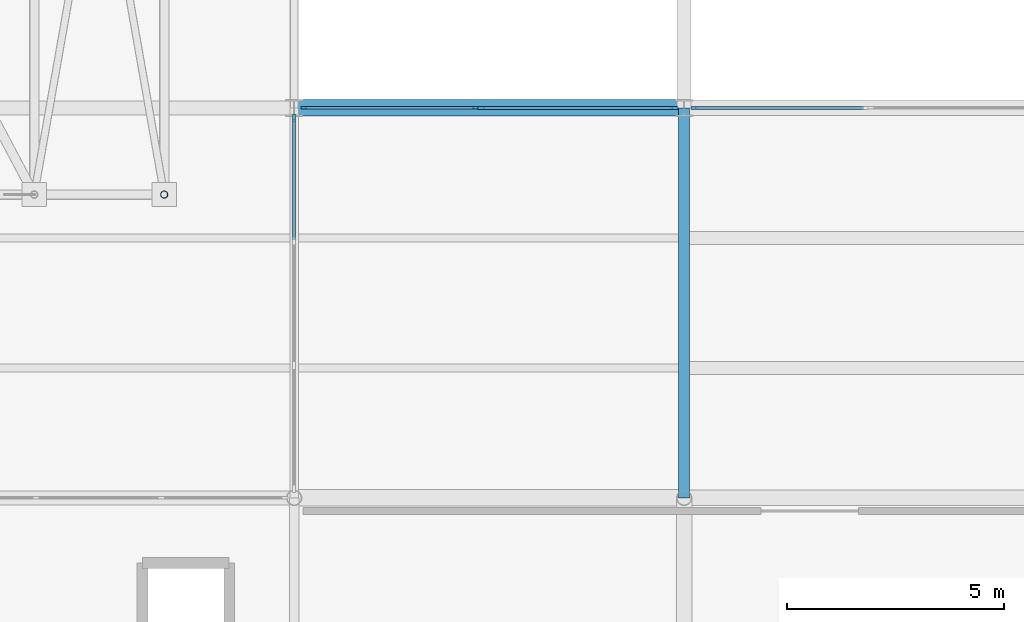
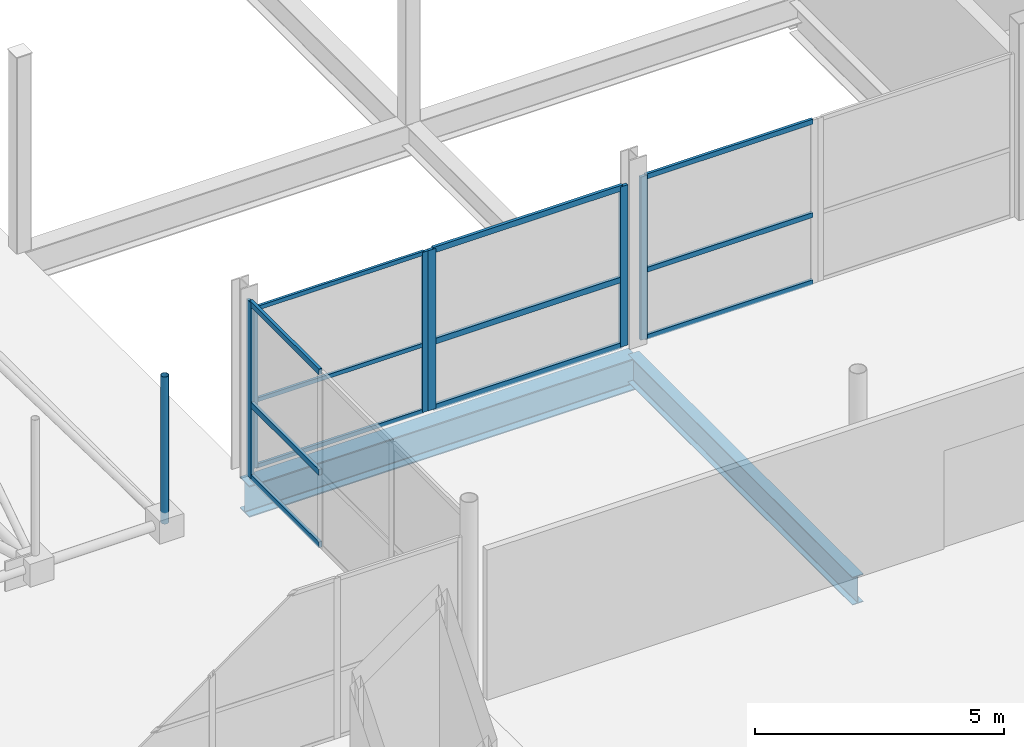
# One storey, part 134 of 224: 19 members, 2 beams, 4 elements without a shape of their own.
"""IFC4 building model written with IfcOpenShell, lengths in metres."""

from ifc_helpers import new_model, si_unit, direction, frame, origin, origin_2d, place, context, subcontext, project, spatial, rectangle, hollow_circle, i_section, extrude, material, layer, layer_set, material_profile, profile_set, type_object, element, aggregate, save


model = new_model("IFC4")

# Units and contexts
model_context = context("Model", 3, precision=1e-05, world=origin(), true_north=direction((0.0, 1.0)))
body_context = subcontext(model_context, "Body", "Model", "MODEL_VIEW")
ifc_project = project(units=[si_unit("LENGTHUNIT", "METRE"), si_unit("AREAUNIT", "SQUARE_METRE"), si_unit("VOLUMEUNIT", "CUBIC_METRE"), si_unit("PLANEANGLEUNIT", "RADIAN"), si_unit("MASSUNIT", "GRAM", prefix="KILO")], contexts=[model_context])

# Site, building, storey
site_placement = place(None, origin())
site = spatial("IfcSite", under=ifc_project, at=site_placement, CompositionType="ELEMENT")
building_placement = place(site_placement, origin())
building = spatial("IfcBuilding", under=site, at=building_placement, Name="Qamarlyn Nura Convention Centre", CompositionType="ELEMENT")
storey_placement = place(building_placement, frame((0.0, 0.0, 10.800048828125)))
storey = spatial("IfcBuildingStorey", under=building, at=storey_placement, Name="L02", CompositionType="ELEMENT", Elevation=10.800048828125)

# Beams
ifc_material_1 = material(Name="Steel ASTM A992", Category="steel")
ifc_material_profile_1 = material_profile(ifc_material_1, i_section(OverallWidth=0.25390625, OverallDepth=0.68408203125, WebThickness=0.012451171875, FlangeThickness=0.01904296875, FilletRadius=0.01806640625, at=origin_2d()), Name="W690X140")
ifc_profile_set_1 = profile_set([ifc_material_profile_1], Name="Steel ASTM A992")
beam_type_1 = type_object("IfcBeamType", Name="BM-GIRD-690B", PredefinedType="BEAM", material=ifc_profile_set_1)
beam_1_placement = place(storey_placement, frame((144.0, 45.0, -0.60205078125), z_axis=(0.0, 1.0, 0.0), x_axis=(-1.0, 0.0, 0.0)))
element("IfcBeam", 1, at=beam_1_placement, inside=storey, type_object=beam_type_1, Name="L02 girder 12 F-G", PredefinedType="BEAM", context=body_context, shape_type="SweptSolid", body=[
    extrude(i_section(OverallWidth=0.25390625, OverallDepth=0.68408203125, WebThickness=0.012451171875, FlangeThickness=0.01904296875, FilletRadius=0.01806640625, at=origin_2d()), origin(), (0.0, 0.0, 1.0), 9.0),
])
ifc_material_profile_2 = material_profile(ifc_material_1, i_section(OverallWidth=0.381103515625, OverallDepth=0.77294921875, WebThickness=0.0166015625, FlangeThickness=0.027587890625, FilletRadius=0.02001953125, at=origin_2d()), Name="W760X257")
ifc_profile_set_2 = profile_set([ifc_material_profile_2], Name="Steel ASTM A992")
beam_type_2 = type_object("IfcBeamType", Name="BM-GIRD-760", PredefinedType="BEAM", material=ifc_profile_set_2)
beam_2_placement = place(storey_placement, frame((135.0, 54.0, -0.646484375), z_axis=(1.0, 0.0, 0.0), x_axis=(0.0, 1.0, 0.0)))
element("IfcBeam", 2, at=beam_2_placement, inside=storey, type_object=beam_type_2, Name="L02 girder G 11-12", PredefinedType="BEAM", context=body_context, shape_type="SweptSolid", body=[
    extrude(i_section(OverallWidth=0.381103515625, OverallDepth=0.77294921875, WebThickness=0.0166015625, FlangeThickness=0.027587890625, FilletRadius=0.02001953125, at=origin_2d()), origin(), (0.0, 0.0, 1.0), 9.0),
])

# Curtain wall, members
ifc_material_2 = material(Name="Double-silver low-E insulated glass", Category="glass")
ifc_layer_1 = layer(ifc_material_2, 0.179931640625, Name="CW-UNIT-107")
ifc_layer_set_1 = layer_set([ifc_layer_1], Name="Double-silver low-E insulated glass")
curtain_wall_type_1 = type_object("IfcCurtainWallType", Name="CW-UNIT-107", PredefinedType="NOTDEFINED", material=ifc_layer_set_1)
curtain_wall_1_placement = place(storey_placement, origin())
curtain_wall_1 = element("IfcCurtainWall", 3, at=curtain_wall_1_placement, inside=storey, type_object=curtain_wall_type_1, Name="L02 unitised curtain wall BLW-NE-1A", PredefinedType="NOTDEFINED")
ifc_material_3 = material(Name="Champagne-anodised marine aluminium", Category="aluminium")
ifc_material_profile_3 = material_profile(ifc_material_3, rectangle(XDim=0.06005859375, YDim=0.139892578125, at=origin_2d()), Name="ALU MULLION 60x140")
ifc_profile_set_3 = profile_set([ifc_material_profile_3], Name="Champagne-anodised marine aluminium")
member_type_1 = type_object("IfcMemberType", Name="CWM-140", PredefinedType="MULLION", material=ifc_profile_set_3)
member_1_placement = place(storey_placement, frame((135.2294921875, 54.0, 0.0), z_axis=(0.0, 0.0, 1.0), x_axis=(0.0, 1.0, 0.0)))
member_1 = element("IfcMember", 4, at=member_1_placement, type_object=member_type_1, Name="CW107 mullion 1", PredefinedType="MULLION", context=body_context, shape_type="SweptSolid", body=[
    extrude(rectangle(XDim=0.06005859375, YDim=0.139892578125, at=origin_2d()), origin(), (0.0, 0.0, 1.0), 3.9208984375),
])
member_2_placement = place(storey_placement, frame((139.172119140625, 54.0, 0.0), z_axis=(0.0, 0.0, 1.0), x_axis=(0.0, 1.0, 0.0)))
member_2 = element("IfcMember", 5, at=member_2_placement, type_object=member_type_1, Name="CW107 mullion 2", PredefinedType="MULLION", context=body_context, shape_type="SweptSolid", body=[
    extrude(rectangle(XDim=0.06005859375, YDim=0.139892578125, at=origin_2d()), origin(), (0.0, 0.0, 1.0), 3.9208984375),
])

# Curtain wall, member
ifc_layer_2 = layer(ifc_material_2, 0.179931640625, Name="CW-UNIT-109")
ifc_layer_set_2 = layer_set([ifc_layer_2], Name="Double-silver low-E insulated glass")
curtain_wall_type_2 = type_object("IfcCurtainWallType", Name="CW-UNIT-109", PredefinedType="NOTDEFINED", material=ifc_layer_set_2)
curtain_wall_2_placement = place(storey_placement, origin())
curtain_wall_2 = element("IfcCurtainWall", 6, at=curtain_wall_2_placement, inside=storey, type_object=curtain_wall_type_2, Name="L02 unitised curtain wall BLW-NE-2A", PredefinedType="NOTDEFINED")
ifc_material_profile_4 = material_profile(ifc_material_3, rectangle(XDim=0.06494140625, YDim=0.159912109375, at=origin_2d()), Name="ALU MULLION 65x160")
ifc_profile_set_4 = profile_set([ifc_material_profile_4], Name="Champagne-anodised marine aluminium")
member_type_2 = type_object("IfcMemberType", Name="CWM-160", PredefinedType="MULLION", material=ifc_profile_set_4)
member_3_placement = place(storey_placement, frame((144.23193359375, 54.0, 0.0), z_axis=(0.0, 0.0, 1.0), x_axis=(0.0, 1.0, 0.0)))
member_3 = element("IfcMember", 7, at=member_3_placement, type_object=member_type_2, Name="CW109 mullion 1", PredefinedType="MULLION", context=body_context, shape_type="SweptSolid", body=[
    extrude(rectangle(XDim=0.06494140625, YDim=0.159912109375, at=origin_2d()), origin(), (0.0, 0.0, 1.0), 3.993896484375),
])

ifc_layer_3 = layer(ifc_material_2, 0.179931640625, Name="CW-UNIT-102")
ifc_layer_set_3 = layer_set([ifc_layer_3], Name="Double-silver low-E insulated glass")
curtain_wall_type_3 = type_object("IfcCurtainWallType", Name="CW-UNIT-102", PredefinedType="NOTDEFINED", material=ifc_layer_set_3)
curtain_wall_3_placement = place(storey_placement, origin())
curtain_wall_3 = element("IfcCurtainWall", 8, at=curtain_wall_3_placement, inside=storey, type_object=curtain_wall_type_3, Name="L02 unitised curtain wall BLW-N-1", PredefinedType="NOTDEFINED")
ifc_material_profile_5 = material_profile(ifc_material_3, rectangle(XDim=0.070068359375, YDim=0.179931640625, at=origin_2d()), Name="ALU MULLION 70x180")
ifc_profile_set_5 = profile_set([ifc_material_profile_5], Name="Champagne-anodised marine aluminium")
member_type_3 = type_object("IfcMemberType", Name="CWM-180", PredefinedType="MULLION", material=ifc_profile_set_5)
member_4_placement = place(storey_placement, frame((135.0, 53.7685546875, 0.0), z_axis=(0.0, 0.0, 1.0), x_axis=(-1.0, 0.0, 0.0)))
member_4 = element("IfcMember", 9, at=member_4_placement, type_object=member_type_3, Name="CW102 mullion 4", PredefinedType="MULLION", context=body_context, shape_type="SweptSolid", body=[
    extrude(rectangle(XDim=0.070068359375, YDim=0.179931640625, at=origin_2d()), origin(), (0.0, 0.0, 1.0), 4.304931640625),
])

# Curtain wall, members
ifc_layer_4 = layer(ifc_material_2, 0.179931640625, Name="CW-UNIT-108")
ifc_layer_set_4 = layer_set([ifc_layer_4], Name="Double-silver low-E insulated glass")
curtain_wall_type_4 = type_object("IfcCurtainWallType", Name="CW-UNIT-108", PredefinedType="NOTDEFINED", material=ifc_layer_set_4)
curtain_wall_4_placement = place(storey_placement, origin())
curtain_wall_4 = element("IfcCurtainWall", 10, at=curtain_wall_4_placement, inside=storey, type_object=curtain_wall_type_4, Name="L02 unitised curtain wall BLW-NE-1B", PredefinedType="NOTDEFINED")
member_5_placement = place(storey_placement, frame((139.31689453125, 54.0, 0.0), z_axis=(0.0, 0.0, 1.0), x_axis=(0.0, 1.0, 0.0)))
member_5 = element("IfcMember", 11, at=member_5_placement, type_object=member_type_3, Name="CW108 mullion 1", PredefinedType="MULLION", context=body_context, shape_type="SweptSolid", body=[
    extrude(rectangle(XDim=0.070068359375, YDim=0.179931640625, at=origin_2d()), origin(), (0.0, 0.0, 1.0), 3.9208984375),
])
member_6_placement = place(storey_placement, frame((143.765380859375, 54.0, 0.0), z_axis=(0.0, 0.0, 1.0), x_axis=(0.0, 1.0, 0.0)))
member_6 = element("IfcMember", 12, at=member_6_placement, type_object=member_type_3, Name="CW108 mullion 2", PredefinedType="MULLION", context=body_context, shape_type="SweptSolid", body=[
    extrude(rectangle(XDim=0.070068359375, YDim=0.179931640625, at=origin_2d()), origin(), (0.0, 0.0, 1.0), 3.9208984375),
])

# Member
ifc_material_profile_6 = material_profile(ifc_material_3, rectangle(XDim=0.06005859375, YDim=0.10009765625, at=origin_2d()), Name="ALU TRANSOM 60x100")
ifc_profile_set_6 = profile_set([ifc_material_profile_6], Name="Champagne-anodised marine aluminium")
member_type_4 = type_object("IfcMemberType", Name="CWT-100", PredefinedType="USERDEFINED", material=ifc_profile_set_6)
member_7_placement = place(storey_placement, frame((135.259521484375, 54.0, 0.030029296875), z_axis=(1.0, 0.0, 0.0), x_axis=(0.0, 1.0, 0.0)))
member_7 = element("IfcMember", 13, at=member_7_placement, type_object=member_type_4, Name="CW107 transom 1.1", ObjectType="TRANSOM", PredefinedType="USERDEFINED", context=body_context, shape_type="SweptSolid", body=[
    extrude(rectangle(XDim=0.06005859375, YDim=0.10009765625, at=origin_2d()), origin(), (0.0, 0.0, 1.0), 3.882568359375),
])

member_8_placement = place(storey_placement, frame((135.259521484375, 54.0, 1.64697265625), z_axis=(1.0, 0.0, 0.0), x_axis=(0.0, 1.0, 0.0)))
member_8 = element("IfcMember", 14, at=member_8_placement, type_object=member_type_4, Name="CW107 transom 1.2", ObjectType="TRANSOM", PredefinedType="USERDEFINED", context=body_context, shape_type="SweptSolid", body=[
    extrude(rectangle(XDim=0.06005859375, YDim=0.10009765625, at=origin_2d()), origin(), (0.0, 0.0, 1.0), 3.882568359375),
])

member_9_placement = place(storey_placement, frame((135.259521484375, 54.0, 3.890869140625), z_axis=(1.0, 0.0, 0.0), x_axis=(0.0, 1.0, 0.0)))
member_9 = element("IfcMember", 15, at=member_9_placement, type_object=member_type_4, Name="CW107 transom 1.3", ObjectType="TRANSOM", PredefinedType="USERDEFINED", context=body_context, shape_type="SweptSolid", body=[
    extrude(rectangle(XDim=0.06005859375, YDim=0.10009765625, at=origin_2d()), origin(), (0.0, 0.0, 1.0), 3.882568359375),
])

aggregate(curtain_wall_1, [member_1, member_2, member_7, member_8, member_9])

ifc_material_profile_7 = material_profile(ifc_material_3, rectangle(XDim=0.06494140625, YDim=0.1201171875, at=origin_2d()), Name="ALU TRANSOM 65x120")
ifc_profile_set_7 = profile_set([ifc_material_profile_7], Name="Champagne-anodised marine aluminium")
member_type_5 = type_object("IfcMemberType", Name="CWT-120", PredefinedType="USERDEFINED", material=ifc_profile_set_7)
member_10_placement = place(storey_placement, frame((144.264404296875, 54.0, 0.032470703125), z_axis=(1.0, 0.0, 0.0), x_axis=(0.0, 1.0, 0.0)))
member_10 = element("IfcMember", 16, at=member_10_placement, type_object=member_type_5, Name="CW109 transom 1.1", ObjectType="TRANSOM", PredefinedType="USERDEFINED", context=body_context, shape_type="SweptSolid", body=[
    extrude(rectangle(XDim=0.06494140625, YDim=0.1201171875, at=origin_2d()), origin(), (0.0, 0.0, 1.0), 3.872314453125),
])

member_11_placement = place(storey_placement, frame((144.264404296875, 54.0, 1.677001953125), z_axis=(1.0, 0.0, 0.0), x_axis=(0.0, 1.0, 0.0)))
member_11 = element("IfcMember", 17, at=member_11_placement, type_object=member_type_5, Name="CW109 transom 1.2", ObjectType="TRANSOM", PredefinedType="USERDEFINED", context=body_context, shape_type="SweptSolid", body=[
    extrude(rectangle(XDim=0.06494140625, YDim=0.1201171875, at=origin_2d()), origin(), (0.0, 0.0, 1.0), 3.872314453125),
])

member_12_placement = place(storey_placement, frame((144.264404296875, 54.0, 3.96142578125), z_axis=(1.0, 0.0, 0.0), x_axis=(0.0, 1.0, 0.0)))
member_12 = element("IfcMember", 18, at=member_12_placement, type_object=member_type_5, Name="CW109 transom 1.3", ObjectType="TRANSOM", PredefinedType="USERDEFINED", context=body_context, shape_type="SweptSolid", body=[
    extrude(rectangle(XDim=0.06494140625, YDim=0.1201171875, at=origin_2d()), origin(), (0.0, 0.0, 1.0), 3.872314453125),
])

aggregate(curtain_wall_2, [member_3, member_10, member_11, member_12])

ifc_material_profile_8 = material_profile(ifc_material_3, rectangle(XDim=0.070068359375, YDim=0.139892578125, at=origin_2d()), Name="ALU TRANSOM 70x140")
ifc_profile_set_8 = profile_set([ifc_material_profile_8], Name="Champagne-anodised marine aluminium")
member_type_6 = type_object("IfcMemberType", Name="CWT-140", PredefinedType="USERDEFINED", material=ifc_profile_set_8)
member_13_placement = place(storey_placement, frame((135.0, 50.96337890625, 0.034912109375), z_axis=(0.0, 1.0, 0.0), x_axis=(-1.0, 0.0, 0.0)))
member_13 = element("IfcMember", 19, at=member_13_placement, type_object=member_type_6, Name="CW102 transom 3.1", ObjectType="TRANSOM", PredefinedType="USERDEFINED", context=body_context, shape_type="SweptSolid", body=[
    extrude(rectangle(XDim=0.070068359375, YDim=0.139892578125, at=origin_2d()), origin(), (0.0, 0.0, 1.0), 2.77001953125),
])

member_14_placement = place(storey_placement, frame((135.0, 50.96337890625, 1.807861328125), z_axis=(0.0, 1.0, 0.0), x_axis=(-1.0, 0.0, 0.0)))
member_14 = element("IfcMember", 20, at=member_14_placement, type_object=member_type_6, Name="CW102 transom 3.2", ObjectType="TRANSOM", PredefinedType="USERDEFINED", context=body_context, shape_type="SweptSolid", body=[
    extrude(rectangle(XDim=0.070068359375, YDim=0.139892578125, at=origin_2d()), origin(), (0.0, 0.0, 1.0), 2.77001953125),
])

member_15_placement = place(storey_placement, frame((135.0, 50.96337890625, 4.27001953125), z_axis=(0.0, 1.0, 0.0), x_axis=(-1.0, 0.0, 0.0)))
member_15 = element("IfcMember", 21, at=member_15_placement, type_object=member_type_6, Name="CW102 transom 3.3", ObjectType="TRANSOM", PredefinedType="USERDEFINED", context=body_context, shape_type="SweptSolid", body=[
    extrude(rectangle(XDim=0.070068359375, YDim=0.139892578125, at=origin_2d()), origin(), (0.0, 0.0, 1.0), 2.77001953125),
])

aggregate(curtain_wall_3, [member_4, member_13, member_14, member_15])

member_16_placement = place(storey_placement, frame((139.35205078125, 54.0, 0.034912109375), z_axis=(1.0, 0.0, 0.0), x_axis=(0.0, 1.0, 0.0)))
member_16 = element("IfcMember", 22, at=member_16_placement, type_object=member_type_6, Name="CW108 transom 1.1", ObjectType="TRANSOM", PredefinedType="USERDEFINED", context=body_context, shape_type="SweptSolid", body=[
    extrude(rectangle(XDim=0.070068359375, YDim=0.139892578125, at=origin_2d()), origin(), (0.0, 0.0, 1.0), 4.37841796875),
])

member_17_placement = place(storey_placement, frame((139.35205078125, 54.0, 1.64697265625), z_axis=(1.0, 0.0, 0.0), x_axis=(0.0, 1.0, 0.0)))
member_17 = element("IfcMember", 23, at=member_17_placement, type_object=member_type_6, Name="CW108 transom 1.2", ObjectType="TRANSOM", PredefinedType="USERDEFINED", context=body_context, shape_type="SweptSolid", body=[
    extrude(rectangle(XDim=0.070068359375, YDim=0.139892578125, at=origin_2d()), origin(), (0.0, 0.0, 1.0), 4.37841796875),
])

member_18_placement = place(storey_placement, frame((139.35205078125, 54.0, 3.885986328125), z_axis=(1.0, 0.0, 0.0), x_axis=(0.0, 1.0, 0.0)))
member_18 = element("IfcMember", 24, at=member_18_placement, type_object=member_type_6, Name="CW108 transom 1.3", ObjectType="TRANSOM", PredefinedType="USERDEFINED", context=body_context, shape_type="SweptSolid", body=[
    extrude(rectangle(XDim=0.070068359375, YDim=0.139892578125, at=origin_2d()), origin(), (0.0, 0.0, 1.0), 4.37841796875),
])

aggregate(curtain_wall_4, [member_5, member_6, member_16, member_17, member_18])

ifc_material_4 = material(Name="Pearl-white PVDF steel ASTM A500 Grade C", Category="steel")
ifc_material_profile_9 = material_profile(ifc_material_4, hollow_circle(Radius=0.084228515625, WallThickness=0.008056640625, at=origin_2d()), Name="CHS168.3X8")
ifc_profile_set_9 = profile_set([ifc_material_profile_9], Name="Pearl-white PVDF steel ASTM A500 Grade C")
member_type_7 = type_object("IfcMemberType", Name="SF-WEB-STD", PredefinedType="BRACE", material=ifc_profile_set_9)
member_19_placement = place(storey_placement, frame((132.0, 52.0, 1.0107421875), z_axis=(0.0, 0.0, 1.0), x_axis=(1.0, 0.0, 0.0)))
element("IfcMember", 25, at=member_19_placement, inside=storey, type_object=member_type_7, Name="ROOF TRUSS space frame vertical 12-4", PredefinedType="BRACE", context=body_context, shape_type="SweptSolid", body=[
    extrude(hollow_circle(Radius=0.084228515625, WallThickness=0.008056640625, at=origin_2d()), origin(), (0.0, 0.0, 1.0), 3.599853515625),
])

save(model, "model.ifc")
